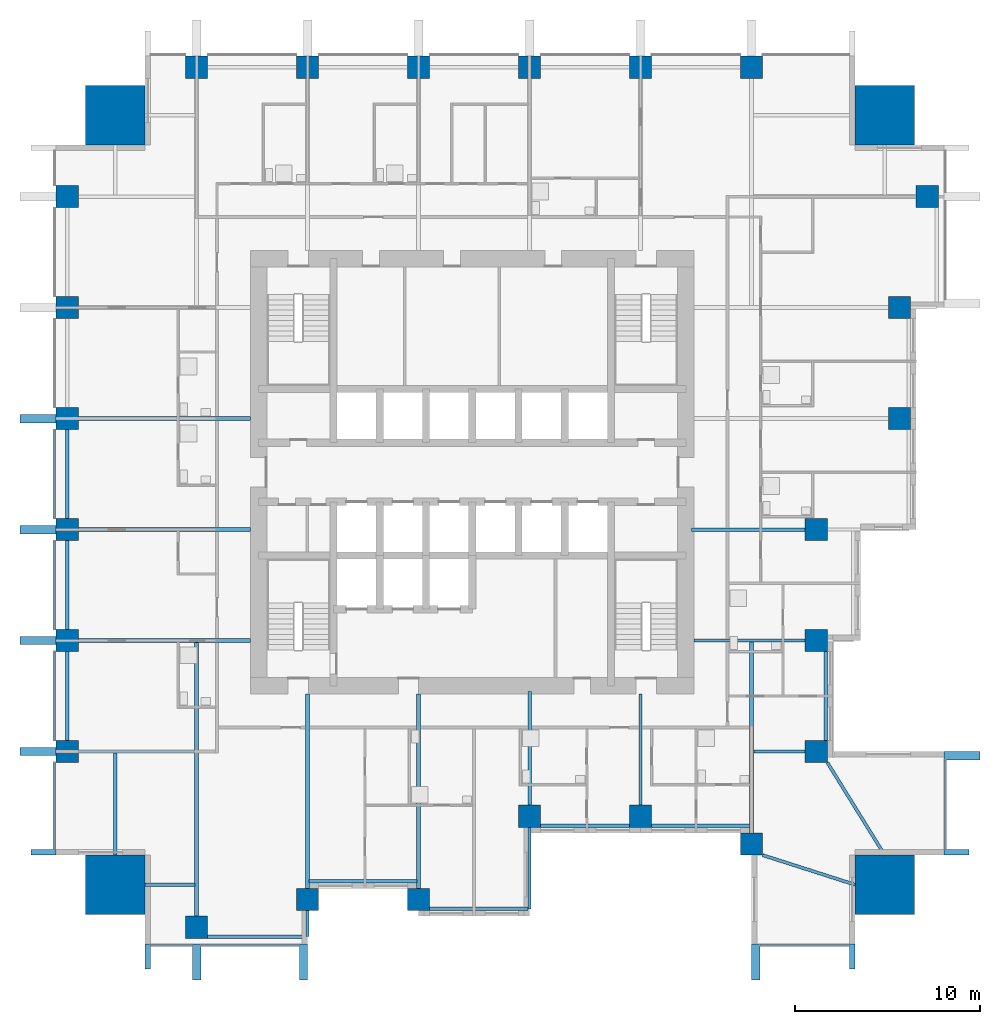
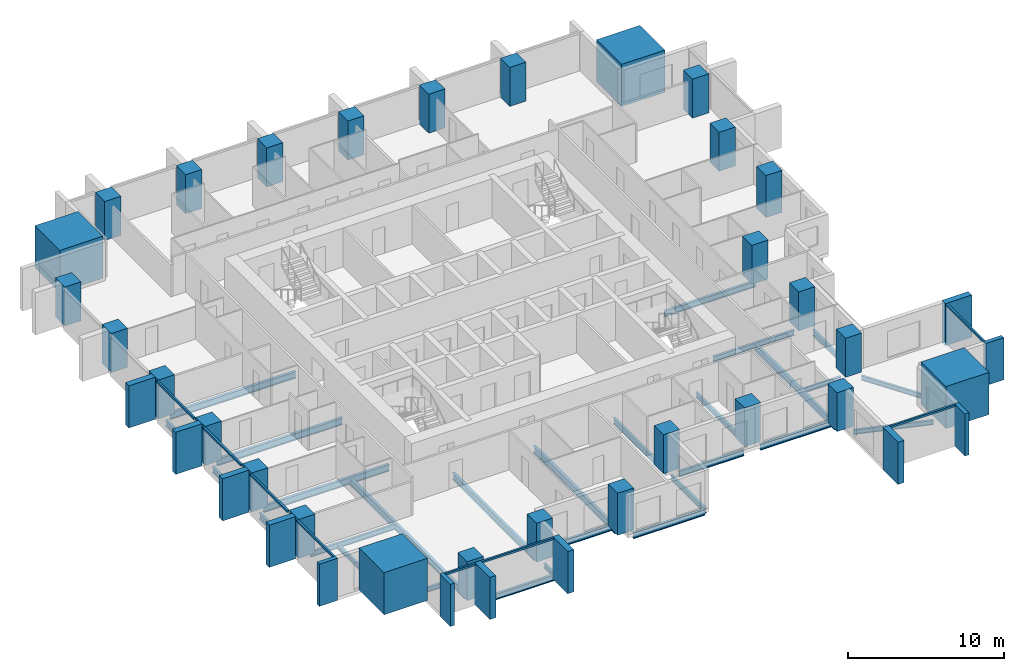
# One storey, part 1 of 10: 28 beams, 28 columns, 20 members, 4 elements without a shape of their own.
"""IFC4 building model written with IfcOpenShell, lengths in metres."""

from ifc_helpers import new_model, si_unit, direction, frame, origin, origin_2d, place, context, subcontext, project, spatial, rectangle, i_section, extrude, material, material_profile, profile_set, type_object, element, aggregate, save


model = new_model("IFC4")

# Units and contexts
model_context = context("Model", 3, precision=1e-05, world=origin(), true_north=direction((0.0, 1.0)))
body_context = subcontext(model_context, "Body", "Model", "MODEL_VIEW")
ifc_project = project(units=[si_unit("LENGTHUNIT", "METRE"), si_unit("AREAUNIT", "SQUARE_METRE"), si_unit("VOLUMEUNIT", "CUBIC_METRE"), si_unit("PLANEANGLEUNIT", "RADIAN"), si_unit("MASSUNIT", "GRAM", prefix="KILO")], contexts=[model_context])

# Site, building, storey
site_placement = place(None, origin())
site = spatial("IfcSite", under=ifc_project, at=site_placement, CompositionType="ELEMENT")
building_placement = place(site_placement, origin())
building = spatial("IfcBuilding", under=site, at=building_placement, Name="Amberfall Residences", CompositionType="ELEMENT")
storey_placement = place(building_placement, frame((0.0, 0.0, 49.89990234375)))
storey = spatial("IfcBuildingStorey", under=building, at=storey_placement, Name="L13", CompositionType="ELEMENT", Elevation=49.89990234375)

# Columns
ifc_material_1 = material(Name="Concrete C80", Category="concrete")
ifc_material_profile_1 = material_profile(ifc_material_1, rectangle(XDim=1.199951171875, YDim=1.199951171875, at=origin_2d()), Name="Column 1200 x 1200 C80")
ifc_profile_set_1 = profile_set([ifc_material_profile_1], Name="Concrete C80")
column_type_1 = type_object("IfcColumnType", Name="Column 1200 x 1200 C80", PredefinedType="COLUMN", material=ifc_profile_set_1)
for number, where, z_axis, x_axis, name in (
    (1, (59.60009765625, 20.89990234375, 0.0), (0.0, 0.0, 1.0), (1.0, 0.0, 0.0), "Column C1 L13 S1"),
    (2, (65.60009765625, 22.39990234375, 0.0), (0.0, 0.0, 1.0), (1.0, 0.0, 0.0), "Column C1 L13 S2"),
):
    element("IfcColumn", number, at=place(storey_placement, frame(where, z_axis=z_axis, x_axis=x_axis)), inside=storey, type_object=column_type_1, Name=name, PredefinedType="COLUMN", context=body_context, shape_type="SweptSolid", body=[
        extrude(rectangle(XDim=1.199951171875, YDim=1.199951171875, at=origin_2d()), origin(), (0.0, 0.0, 1.0), 3.050048828125),
    ])
column_1_placement = place(storey_placement, frame((71.60009765625, 22.39990234375, 0.0), z_axis=(0.0, 0.0, 1.0), x_axis=(1.0, 0.0, 0.0)))
element("IfcColumn", 3, at=column_1_placement, inside=storey, type_object=column_type_1, Name="Column C1 L13 S3", PredefinedType="COLUMN", context=body_context, shape_type="SweptSolid", body=[
    extrude(rectangle(XDim=1.199951171875, YDim=1.199951171875, at=origin_2d()), origin(), (0.0, 0.0, 1.0), 3.300048828125),
])
for number, where, z_axis, x_axis, name in (
    (4, (77.60009765625, 26.89990234375, 0.0), (0.0, 0.0, 1.0), (1.0, 0.0, 0.0), "Column C1 L13 S4"),
    (5, (83.60009765625, 26.89990234375, 0.0), (0.0, 0.0, 1.0), (1.0, 0.0, 0.0), "Column C1 L13 S5"),
    (6, (89.60009765625, 25.39990234375, 0.0), (0.0, 0.0, 1.0), (1.0, 0.0, 0.0), "Column C1 L13 S6"),
    (7, (93.10009765625, 30.39990234375, 0.0), (0.0, 0.0, 1.0), (1.0, 0.0, 0.0), "Column C1 L13 E1"),
    (8, (93.10009765625, 36.39990234375, 0.0), (0.0, 0.0, 1.0), (1.0, 0.0, 0.0), "Column C1 L13 E2"),
    (9, (93.10009765625, 42.39990234375, 0.0), (0.0, 0.0, 1.0), (1.0, 0.0, 0.0), "Column C1 L13 E3"),
):
    element("IfcColumn", number, at=place(storey_placement, frame(where, z_axis=z_axis, x_axis=x_axis)), inside=storey, type_object=column_type_1, Name=name, PredefinedType="COLUMN", context=body_context, shape_type="SweptSolid", body=[
        extrude(rectangle(XDim=1.199951171875, YDim=1.199951171875, at=origin_2d()), origin(), (0.0, 0.0, 1.0), 3.050048828125),
    ])
column_2_placement = place(storey_placement, frame((97.60009765625, 48.39990234375, 0.0), z_axis=(0.0, 0.0, 1.0), x_axis=(1.0, 0.0, 0.0)))
element("IfcColumn", 10, at=column_2_placement, inside=storey, type_object=column_type_1, Name="Column C1 L13 E4", PredefinedType="COLUMN", context=body_context, shape_type="SweptSolid", body=[
    extrude(rectangle(XDim=1.199951171875, YDim=1.199951171875, at=origin_2d()), origin(), (0.0, 0.0, 1.0), 3.300048828125),
])
for number, where, z_axis, x_axis, name in (
    (11, (97.60009765625, 54.39990234375, 0.0), (0.0, 0.0, 1.0), (1.0, 0.0, 0.0), "Column C1 L13 E5"),
    (12, (99.10009765625, 60.39990234375, 0.0), (0.0, 0.0, 1.0), (1.0, 0.0, 0.0), "Column C1 L13 E6"),
    (13, (59.60009765625, 67.39990234375, 0.0), (0.0, 0.0, 1.0), (1.0, 0.0, 0.0), "Column C1 L13 N1"),
    (14, (65.60009765625, 67.39990234375, 0.0), (0.0, 0.0, 1.0), (1.0, 0.0, 0.0), "Column C1 L13 N2"),
    (15, (71.60009765625, 67.39990234375, 0.0), (0.0, 0.0, 1.0), (1.0, 0.0, 0.0), "Column C1 L13 N3"),
    (16, (77.60009765625, 67.39990234375, 0.0), (0.0, 0.0, 1.0), (1.0, 0.0, 0.0), "Column C1 L13 N4"),
    (17, (83.60009765625, 67.39990234375, 0.0), (0.0, 0.0, 1.0), (1.0, 0.0, 0.0), "Column C1 L13 N5"),
    (18, (89.60009765625, 67.39990234375, 0.0), (0.0, 0.0, 1.0), (1.0, 0.0, 0.0), "Column C1 L13 N6"),
    (19, (52.60009765625, 30.39990234375, 0.0), (0.0, 0.0, 1.0), (1.0, 0.0, 0.0), "Column C1 L13 W1"),
    (20, (52.60009765625, 36.39990234375, 0.0), (0.0, 0.0, 1.0), (1.0, 0.0, 0.0), "Column C1 L13 W2"),
    (21, (52.60009765625, 42.39990234375, 0.0), (0.0, 0.0, 1.0), (1.0, 0.0, 0.0), "Column C1 L13 W3"),
    (22, (52.60009765625, 48.39990234375, 0.0), (0.0, 0.0, 1.0), (1.0, 0.0, 0.0), "Column C1 L13 W4"),
    (23, (52.60009765625, 54.39990234375, 0.0), (0.0, 0.0, 1.0), (1.0, 0.0, 0.0), "Column C1 L13 W5"),
    (24, (52.60009765625, 60.39990234375, 0.0), (0.0, 0.0, 1.0), (1.0, 0.0, 0.0), "Column C1 L13 W6"),
):
    element("IfcColumn", number, at=place(storey_placement, frame(where, z_axis=z_axis, x_axis=x_axis)), inside=storey, type_object=column_type_1, Name=name, PredefinedType="COLUMN", context=body_context, shape_type="SweptSolid", body=[
        extrude(rectangle(XDim=1.199951171875, YDim=1.199951171875, at=origin_2d()), origin(), (0.0, 0.0, 1.0), 3.050048828125),
    ])
ifc_material_profile_2 = material_profile(ifc_material_1, rectangle(XDim=3.199951171875, YDim=3.199951171875, at=origin_2d()), Name="Mega column 3200 x 3200 C80")
ifc_profile_set_2 = profile_set([ifc_material_profile_2], Name="Concrete C80")
column_type_2 = type_object("IfcColumnType", Name="Mega column 3200 x 3200 C80", PredefinedType="COLUMN", material=ifc_profile_set_2)
for number, where, z_axis, x_axis, name in (
    (25, (55.199951171875, 23.199951171875, 0.0), (0.0, 0.0, 1.0), (1.0, 0.0, 0.0), "Mega column MC1 L13 SW"),
    (26, (96.800048828125, 23.199951171875, 0.0), (0.0, 0.0, 1.0), (1.0, 0.0, 0.0), "Mega column MC1 L13 SE"),
    (27, (96.800048828125, 64.800048828125, 0.0), (0.0, 0.0, 1.0), (1.0, 0.0, 0.0), "Mega column MC1 L13 NE"),
    (28, (55.199951171875, 64.800048828125, 0.0), (0.0, 0.0, 1.0), (1.0, 0.0, 0.0), "Mega column MC1 L13 NW"),
):
    element("IfcColumn", number, at=place(storey_placement, frame(where, z_axis=z_axis, x_axis=x_axis)), inside=storey, type_object=column_type_2, Name=name, PredefinedType="COLUMN", context=body_context, shape_type="SweptSolid", body=[
        extrude(rectangle(XDim=3.199951171875, YDim=3.199951171875, at=origin_2d()), origin(), (0.0, 0.0, 1.0), 3.300048828125),
    ])

# Curtain wall, members
ifc_material_2 = material(Name="Bronze anodised aluminium and glass", Category="aluminium")
curtain_wall_type = type_object("IfcCurtainWallType", Name="Curtain wall CW1 tower unit", PredefinedType="USERDEFINED", material=ifc_material_2)
curtain_wall_1_placement = place(storey_placement, origin())
curtain_wall_1 = element("IfcCurtainWall", 29, at=curtain_wall_1_placement, inside=storey, type_object=curtain_wall_type, Name="Curtain wall L13 S S1", ObjectType="UNITISED CURTAIN WALL", PredefinedType="USERDEFINED")
ifc_material_3 = material(Name="Bronze anodised aluminium", Category="aluminium")
ifc_material_profile_3 = material_profile(ifc_material_3, rectangle(XDim=0.14990234375, YDim=0.14990234375, at=origin_2d()), Name="CW1 transom 150 x 150 bronze")
ifc_profile_set_3 = profile_set([ifc_material_profile_3], Name="Bronze anodised aluminium")
member_type_1 = type_object("IfcMemberType", Name="CW1 transom 150 x 150 bronze", PredefinedType="USERDEFINED", material=ifc_profile_set_3)
member_1_placement = place(storey_placement, frame((57.10009765625, 19.925048828125, 2.97509765625), z_axis=(1.0, 0.0, 0.0), x_axis=(0.0, 1.0, 0.0)))
member_1 = element("IfcMember", 30, at=member_1_placement, type_object=member_type_1, Name="CW1 transom 1.1", ObjectType="TRANSOM", PredefinedType="USERDEFINED", context=body_context, shape_type="SweptSolid", body=[
    extrude(rectangle(XDim=0.14990234375, YDim=0.14990234375, at=origin_2d()), origin(), (0.0, 0.0, 1.0), 2.27490234375),
])
member_2_placement = place(storey_placement, frame((59.824951171875, 19.925048828125, 2.97509765625), z_axis=(1.0, 0.0, 0.0), x_axis=(0.0, 1.0, 0.0)))
member_2 = element("IfcMember", 31, at=member_2_placement, type_object=member_type_1, Name="CW1 transom 2.1", ObjectType="TRANSOM", PredefinedType="USERDEFINED", context=body_context, shape_type="SweptSolid", body=[
    extrude(rectangle(XDim=0.14990234375, YDim=0.14990234375, at=origin_2d()), origin(), (0.0, 0.0, 1.0), 5.324951171875),
])

# Curtain wall, member
curtain_wall_2_placement = place(storey_placement, origin())
curtain_wall_2 = element("IfcCurtainWall", 32, at=curtain_wall_2_placement, inside=storey, type_object=curtain_wall_type, Name="Curtain wall L13 S S10", ObjectType="UNITISED CURTAIN WALL", PredefinedType="USERDEFINED")
member_3_placement = place(storey_placement, frame((90.050048828125, 19.925048828125, 2.97509765625), z_axis=(1.0, 0.0, 0.0), x_axis=(0.0, 1.0, 0.0)))
member_3 = element("IfcMember", 33, at=member_3_placement, type_object=member_type_1, Name="CW1 transom 1.1", ObjectType="TRANSOM", PredefinedType="USERDEFINED", context=body_context, shape_type="SweptSolid", body=[
    extrude(rectangle(XDim=0.14990234375, YDim=0.14990234375, at=origin_2d()), origin(), (0.0, 0.0, 1.0), 4.849853515625),
])

curtain_wall_3_placement = place(storey_placement, origin())
curtain_wall_3 = element("IfcCurtainWall", 34, at=curtain_wall_3_placement, inside=storey, type_object=curtain_wall_type, Name="Curtain wall L13 E E1", ObjectType="UNITISED CURTAIN WALL", PredefinedType="USERDEFINED")
member_4_placement = place(storey_placement, frame((100.074951171875, 25.10009765625, 2.97509765625), z_axis=(0.0, 1.0, 0.0), x_axis=(-1.0, 0.0, 0.0)))
member_4 = element("IfcMember", 35, at=member_4_placement, type_object=member_type_1, Name="CW1 transom 1.1", ObjectType="TRANSOM", PredefinedType="USERDEFINED", context=body_context, shape_type="SweptSolid", body=[
    extrude(rectangle(XDim=0.14990234375, YDim=0.14990234375, at=origin_2d()), origin(), (0.0, 0.0, 1.0), 4.849853515625),
])

# Curtain wall, members
curtain_wall_4_placement = place(storey_placement, origin())
curtain_wall_4 = element("IfcCurtainWall", 36, at=curtain_wall_4_placement, inside=storey, type_object=curtain_wall_type, Name="Curtain wall L13 W W1", ObjectType="UNITISED CURTAIN WALL", PredefinedType="USERDEFINED")
member_5_placement = place(storey_placement, frame((51.925048828125, 47.794921875, 2.97509765625), z_axis=(0.0, -1.0, 0.0), x_axis=(1.0, 0.0, 0.0)))
member_5 = element("IfcMember", 37, at=member_5_placement, type_object=member_type_1, Name="CW1 transom 4.1", ObjectType="TRANSOM", PredefinedType="USERDEFINED", context=body_context, shape_type="SweptSolid", body=[
    extrude(rectangle(XDim=0.14990234375, YDim=0.14990234375, at=origin_2d()), origin(), (0.0, 0.0, 1.0), 4.7900390625),
])
member_6_placement = place(storey_placement, frame((51.925048828125, 41.794921875, 2.97509765625), z_axis=(0.0, -1.0, 0.0), x_axis=(1.0, 0.0, 0.0)))
member_6 = element("IfcMember", 38, at=member_6_placement, type_object=member_type_1, Name="CW1 transom 5.1", ObjectType="TRANSOM", PredefinedType="USERDEFINED", context=body_context, shape_type="SweptSolid", body=[
    extrude(rectangle(XDim=0.14990234375, YDim=0.14990234375, at=origin_2d()), origin(), (0.0, 0.0, 1.0), 4.7900390625),
])
member_7_placement = place(storey_placement, frame((51.925048828125, 35.794921875, 2.97509765625), z_axis=(0.0, -1.0, 0.0), x_axis=(1.0, 0.0, 0.0)))
member_7 = element("IfcMember", 39, at=member_7_placement, type_object=member_type_1, Name="CW1 transom 6.1", ObjectType="TRANSOM", PredefinedType="USERDEFINED", context=body_context, shape_type="SweptSolid", body=[
    extrude(rectangle(XDim=0.14990234375, YDim=0.14990234375, at=origin_2d()), origin(), (0.0, 0.0, 1.0), 4.7900390625),
])
member_8_placement = place(storey_placement, frame((51.925048828125, 29.794921875, 2.97509765625), z_axis=(0.0, -1.0, 0.0), x_axis=(1.0, 0.0, 0.0)))
member_8 = element("IfcMember", 40, at=member_8_placement, type_object=member_type_1, Name="CW1 transom 7.1", ObjectType="TRANSOM", PredefinedType="USERDEFINED", context=body_context, shape_type="SweptSolid", body=[
    extrude(rectangle(XDim=0.14990234375, YDim=0.14990234375, at=origin_2d()), origin(), (0.0, 0.0, 1.0), 4.69482421875),
])

# Beams
ifc_material_4 = material(Name="Steel S355", Category="steel")
ifc_material_profile_4 = material_profile(ifc_material_4, i_section(OverallWidth=0.171142578125, OverallDepth=0.351318359375, WebThickness=0.007080078125, FlangeThickness=0.009765625, FilletRadius=0.01025390625, at=origin_2d()), Name="UB 356x171x45")
ifc_profile_set_4 = profile_set([ifc_material_profile_4], Name="Steel S355")
beam_type_1 = type_object("IfcBeamType", Name="Cantilever girder UB 356x171x45", PredefinedType="BEAM", material=ifc_profile_set_4)
beam_1_placement = place(storey_placement, frame((65.60009765625, 21.800048828125, -0.425537109375), z_axis=(0.0, -1.0, 0.0), x_axis=(1.0, 0.0, 0.0)))
element("IfcBeam", 41, at=beam_1_placement, inside=storey, type_object=beam_type_1, Name="Cantilever girder B8 L13 06", PredefinedType="BEAM", context=body_context, shape_type="SweptSolid", body=[
    extrude(i_section(OverallWidth=0.171142578125, OverallDepth=0.351318359375, WebThickness=0.007080078125, FlangeThickness=0.009765625, FilletRadius=0.01025390625, at=origin_2d()), origin(), (0.0, 0.0, 1.0), 1.400146484375),
])
ifc_material_profile_5 = material_profile(ifc_material_4, i_section(OverallWidth=0.177734375, OverallDepth=0.402587890625, WebThickness=0.0078125, FlangeThickness=0.010986328125, FilletRadius=0.01025390625, at=origin_2d()), Name="UB 406x178x54")
ifc_profile_set_5 = profile_set([ifc_material_profile_5], Name="Steel S355")
beam_type_2 = type_object("IfcBeamType", Name="Cantilever girder UB 406x178x54", PredefinedType="BEAM", material=ifc_profile_set_5)
beam_2_placement = place(storey_placement, frame((77.60009765625, 26.300048828125, -0.451171875), z_axis=(0.0, -1.0, 0.0), x_axis=(1.0, 0.0, 0.0)))
element("IfcBeam", 42, at=beam_2_placement, inside=storey, type_object=beam_type_2, Name="Cantilever girder B9 L13 07", PredefinedType="BEAM", context=body_context, shape_type="SweptSolid", body=[
    extrude(i_section(OverallWidth=0.177734375, OverallDepth=0.402587890625, WebThickness=0.0078125, FlangeThickness=0.010986328125, FilletRadius=0.01025390625, at=origin_2d()), origin(), (0.0, 0.0, 1.0), 4.400146484375),
])

# Member
ifc_material_profile_6 = material_profile(ifc_material_3, rectangle(XDim=1.35009765625, YDim=0.300048828125, at=origin_2d()), Name="Corner fin 300 x 1350 bronze")
ifc_profile_set_6 = profile_set([ifc_material_profile_6], Name="Bronze anodised aluminium")
member_type_2 = type_object("IfcMemberType", Name="Corner fin 300 x 1350 bronze", PredefinedType="MULLION", material=ifc_profile_set_6)
member_9_placement = place(storey_placement, frame((56.949951171875, 19.324951171875, -0.25), z_axis=(0.0, 0.0, 1.0), x_axis=(0.0, 1.0, 0.0)))
member_9 = element("IfcMember", 43, at=member_9_placement, type_object=member_type_2, Name="CW FIN 1", PredefinedType="MULLION", context=body_context, shape_type="SweptSolid", body=[
    extrude(rectangle(XDim=1.35009765625, YDim=0.300048828125, at=origin_2d()), origin(), (0.0, 0.0, 1.0), 3.300048828125),
])

member_10_placement = place(storey_placement, frame((95.050048828125, 19.324951171875, -0.25), z_axis=(0.0, 0.0, 1.0), x_axis=(0.0, 1.0, 0.0)))
member_10 = element("IfcMember", 44, at=member_10_placement, type_object=member_type_2, Name="CW FIN 2", PredefinedType="MULLION", context=body_context, shape_type="SweptSolid", body=[
    extrude(rectangle(XDim=1.35009765625, YDim=0.300048828125, at=origin_2d()), origin(), (0.0, 0.0, 1.0), 3.300048828125),
])

member_11_placement = place(storey_placement, frame((100.675048828125, 24.949951171875, -0.25), z_axis=(0.0, 0.0, 1.0), x_axis=(-1.0, 0.0, 0.0)))
member_11 = element("IfcMember", 45, at=member_11_placement, type_object=member_type_2, Name="CW FIN 1", PredefinedType="MULLION", context=body_context, shape_type="SweptSolid", body=[
    extrude(rectangle(XDim=1.35009765625, YDim=0.300048828125, at=origin_2d()), origin(), (0.0, 0.0, 1.0), 3.300048828125),
])

member_12_placement = place(storey_placement, frame((51.324951171875, 24.949951171875, -0.25), z_axis=(0.0, 0.0, 1.0), x_axis=(1.0, 0.0, 0.0)))
member_12 = element("IfcMember", 46, at=member_12_placement, type_object=member_type_2, Name="CW FIN 8", PredefinedType="MULLION", context=body_context, shape_type="SweptSolid", body=[
    extrude(rectangle(XDim=1.35009765625, YDim=0.300048828125, at=origin_2d()), origin(), (0.0, 0.0, 1.0), 3.300048828125),
])

# Beams
ifc_material_profile_7 = material_profile(ifc_material_4, i_section(OverallWidth=0.18994140625, OverallDepth=0.453369140625, WebThickness=0.008544921875, FlangeThickness=0.0126953125, FilletRadius=0.01025390625, at=origin_2d()), Name="UB 457x191x67")
ifc_profile_set_7 = profile_set([ifc_material_profile_7], Name="Steel S355")
beam_type_3 = type_object("IfcBeamType", Name="Edge beam UB 457x191x67", PredefinedType="SPANDREL", material=ifc_profile_set_7)
beam_3_placement = place(storey_placement, frame((60.199951171875, 20.39990234375, -0.4765625), z_axis=(1.0, 0.0, 0.0), x_axis=(0.0, 1.0, 0.0)))
element("IfcBeam", 47, at=beam_3_placement, inside=storey, type_object=beam_type_3, Name="Edge beam B1 L13 01", PredefinedType="SPANDREL", context=body_context, shape_type="SweptSolid", body=[
    extrude(i_section(OverallWidth=0.18994140625, OverallDepth=0.453369140625, WebThickness=0.008544921875, FlangeThickness=0.0126953125, FilletRadius=0.01025390625, at=origin_2d()), origin(), (0.0, 0.0, 1.0), 5.320068359375),
])
beam_4_placement = place(storey_placement, frame((65.679931640625, 23.39990234375, -0.4765625), z_axis=(1.0, 0.0, 0.0), x_axis=(0.0, 1.0, 0.0)))
element("IfcBeam", 48, at=beam_4_placement, inside=storey, type_object=beam_type_3, Name="Edge beam B1 L13 02", PredefinedType="SPANDREL", context=body_context, shape_type="SweptSolid", body=[
    extrude(i_section(OverallWidth=0.18994140625, OverallDepth=0.453369140625, WebThickness=0.008544921875, FlangeThickness=0.0126953125, FilletRadius=0.01025390625, at=origin_2d()), origin(), (0.0, 0.0, 1.0), 5.840087890625),
])
beam_5_placement = place(storey_placement, frame((72.199951171875, 21.89990234375, -0.4765625), z_axis=(1.0, 0.0, 0.0), x_axis=(0.0, 1.0, 0.0)))
element("IfcBeam", 49, at=beam_5_placement, inside=storey, type_object=beam_type_3, Name="Edge beam B1 L13 03", PredefinedType="SPANDREL", context=body_context, shape_type="SweptSolid", body=[
    extrude(i_section(OverallWidth=0.18994140625, OverallDepth=0.453369140625, WebThickness=0.008544921875, FlangeThickness=0.0126953125, FilletRadius=0.01025390625, at=origin_2d()), origin(), (0.0, 0.0, 1.0), 5.320068359375),
])
beam_6_placement = place(storey_placement, frame((78.199951171875, 26.39990234375, -0.4765625), z_axis=(1.0, 0.0, 0.0), x_axis=(0.0, 1.0, 0.0)))
element("IfcBeam", 50, at=beam_6_placement, inside=storey, type_object=beam_type_3, Name="Edge beam B1 L13 04", PredefinedType="SPANDREL", context=body_context, shape_type="SweptSolid", body=[
    extrude(i_section(OverallWidth=0.18994140625, OverallDepth=0.453369140625, WebThickness=0.008544921875, FlangeThickness=0.0126953125, FilletRadius=0.01025390625, at=origin_2d()), origin(), (0.0, 0.0, 1.0), 4.800048828125),
])
beam_7_placement = place(storey_placement, frame((84.199951171875, 26.39990234375, -0.4765625), z_axis=(1.0, 0.0, 0.0), x_axis=(0.0, 1.0, 0.0)))
element("IfcBeam", 51, at=beam_7_placement, inside=storey, type_object=beam_type_3, Name="Edge beam B1 L13 05", PredefinedType="SPANDREL", context=body_context, shape_type="SweptSolid", body=[
    extrude(i_section(OverallWidth=0.18994140625, OverallDepth=0.453369140625, WebThickness=0.008544921875, FlangeThickness=0.0126953125, FilletRadius=0.01025390625, at=origin_2d()), origin(), (0.0, 0.0, 1.0), 5.320068359375),
])
for number, where, z_axis, x_axis, name in (
    (52, (93.60009765625, 31.0, -0.4765625), (0.0, 1.0, 0.0), (-1.0, 0.0, 0.0), "Edge beam B1 L13 14"),
    (53, (52.60009765625, 31.0, -0.4765625), (0.0, 1.0, 0.0), (-1.0, 0.0, 0.0), "Edge beam B1 L13 39"),
    (54, (52.60009765625, 37.0, -0.4765625), (0.0, 1.0, 0.0), (-1.0, 0.0, 0.0), "Edge beam B1 L13 40"),
    (55, (52.60009765625, 43.0, -0.4765625), (0.0, 1.0, 0.0), (-1.0, 0.0, 0.0), "Edge beam B1 L13 41"),
):
    element("IfcBeam", number, at=place(storey_placement, frame(where, z_axis=z_axis, x_axis=x_axis)), inside=storey, type_object=beam_type_3, Name=name, PredefinedType="SPANDREL", context=body_context, shape_type="SweptSolid", body=[
        extrude(i_section(OverallWidth=0.18994140625, OverallDepth=0.453369140625, WebThickness=0.008544921875, FlangeThickness=0.0126953125, FilletRadius=0.01025390625, at=origin_2d()), origin(), (0.0, 0.0, 1.0), 4.800048828125),
    ])

# Member
ifc_material_profile_8 = material_profile(ifc_material_3, rectangle(XDim=1.949951171875, YDim=0.449951171875, at=origin_2d()), Name="Fin 450 x 1950 bronze")
ifc_profile_set_8 = profile_set([ifc_material_profile_8], Name="Bronze anodised aluminium")
member_type_3 = type_object("IfcMemberType", Name="Fin 450 x 1950 bronze", PredefinedType="MULLION", material=ifc_profile_set_8)
member_13_placement = place(storey_placement, frame((59.60009765625, 19.02490234375, -0.25), z_axis=(0.0, 0.0, 1.0), x_axis=(0.0, 1.0, 0.0)))
member_13 = element("IfcMember", 56, at=member_13_placement, type_object=member_type_3, Name="CW FIN 2", PredefinedType="MULLION", context=body_context, shape_type="SweptSolid", body=[
    extrude(rectangle(XDim=1.949951171875, YDim=0.449951171875, at=origin_2d()), origin(), (0.0, 0.0, 1.0), 3.300048828125),
])

member_14_placement = place(storey_placement, frame((65.375, 19.02490234375, -0.25), z_axis=(0.0, 0.0, 1.0), x_axis=(0.0, 1.0, 0.0)))
member_14 = element("IfcMember", 57, at=member_14_placement, type_object=member_type_3, Name="CW FIN 3", PredefinedType="MULLION", context=body_context, shape_type="SweptSolid", body=[
    extrude(rectangle(XDim=1.949951171875, YDim=0.449951171875, at=origin_2d()), origin(), (0.0, 0.0, 1.0), 3.300048828125),
])

aggregate(curtain_wall_1, [member_9, member_13, member_14, member_1, member_2])

member_15_placement = place(storey_placement, frame((89.824951171875, 19.02490234375, -0.25), z_axis=(0.0, 0.0, 1.0), x_axis=(0.0, 1.0, 0.0)))
member_15 = element("IfcMember", 58, at=member_15_placement, type_object=member_type_3, Name="CW FIN 1", PredefinedType="MULLION", context=body_context, shape_type="SweptSolid", body=[
    extrude(rectangle(XDim=1.949951171875, YDim=0.449951171875, at=origin_2d()), origin(), (0.0, 0.0, 1.0), 3.300048828125),
])

aggregate(curtain_wall_2, [member_15, member_10, member_3])

member_16_placement = place(storey_placement, frame((100.97509765625, 30.175048828125, -0.25), z_axis=(0.0, 0.0, 1.0), x_axis=(-1.0, 0.0, 0.0)))
member_16 = element("IfcMember", 59, at=member_16_placement, type_object=member_type_3, Name="CW FIN 2", PredefinedType="MULLION", context=body_context, shape_type="SweptSolid", body=[
    extrude(rectangle(XDim=1.949951171875, YDim=0.449951171875, at=origin_2d()), origin(), (0.0, 0.0, 1.0), 3.300048828125),
])

aggregate(curtain_wall_3, [member_11, member_16, member_4])

member_17_placement = place(storey_placement, frame((51.02490234375, 48.39990234375, -0.25), z_axis=(0.0, 0.0, 1.0), x_axis=(1.0, 0.0, 0.0)))
member_17 = element("IfcMember", 60, at=member_17_placement, type_object=member_type_3, Name="CW FIN 4", PredefinedType="MULLION", context=body_context, shape_type="SweptSolid", body=[
    extrude(rectangle(XDim=1.949951171875, YDim=0.449951171875, at=origin_2d()), origin(), (0.0, 0.0, 1.0), 3.300048828125),
])

member_18_placement = place(storey_placement, frame((51.02490234375, 42.39990234375, -0.25), z_axis=(0.0, 0.0, 1.0), x_axis=(1.0, 0.0, 0.0)))
member_18 = element("IfcMember", 61, at=member_18_placement, type_object=member_type_3, Name="CW FIN 5", PredefinedType="MULLION", context=body_context, shape_type="SweptSolid", body=[
    extrude(rectangle(XDim=1.949951171875, YDim=0.449951171875, at=origin_2d()), origin(), (0.0, 0.0, 1.0), 3.300048828125),
])

member_19_placement = place(storey_placement, frame((51.02490234375, 36.39990234375, -0.25), z_axis=(0.0, 0.0, 1.0), x_axis=(1.0, 0.0, 0.0)))
member_19 = element("IfcMember", 62, at=member_19_placement, type_object=member_type_3, Name="CW FIN 6", PredefinedType="MULLION", context=body_context, shape_type="SweptSolid", body=[
    extrude(rectangle(XDim=1.949951171875, YDim=0.449951171875, at=origin_2d()), origin(), (0.0, 0.0, 1.0), 3.300048828125),
])

member_20_placement = place(storey_placement, frame((51.02490234375, 30.39990234375, -0.25), z_axis=(0.0, 0.0, 1.0), x_axis=(1.0, 0.0, 0.0)))
member_20 = element("IfcMember", 63, at=member_20_placement, type_object=member_type_3, Name="CW FIN 7", PredefinedType="MULLION", context=body_context, shape_type="SweptSolid", body=[
    extrude(rectangle(XDim=1.949951171875, YDim=0.449951171875, at=origin_2d()), origin(), (0.0, 0.0, 1.0), 3.300048828125),
])

aggregate(curtain_wall_4, [member_17, member_18, member_19, member_20, member_12, member_5, member_6, member_7, member_8])

# Beams
ifc_material_profile_9 = material_profile(ifc_material_4, i_section(OverallWidth=0.171142578125, OverallDepth=0.351318359375, WebThickness=0.007080078125, FlangeThickness=0.009765625, FilletRadius=0.01025390625, at=origin_2d()), Name="UB 356x171x45")
ifc_profile_set_9 = profile_set([ifc_material_profile_9], Name="Steel S355")
beam_type_4 = type_object("IfcBeamType", Name="Floor girder UB 356x171x45", PredefinedType="BEAM", material=ifc_profile_set_9)
beam_8_placement = place(storey_placement, frame((92.5, 30.39990234375, -0.425537109375), z_axis=(-1.0, 0.0, 0.0), x_axis=(0.0, -1.0, 0.0)))
element("IfcBeam", 64, at=beam_8_placement, inside=storey, type_object=beam_type_4, Name="Floor girder B11 L13 22", PredefinedType="BEAM", context=body_context, shape_type="SweptSolid", body=[
    extrude(i_section(OverallWidth=0.171142578125, OverallDepth=0.351318359375, WebThickness=0.007080078125, FlangeThickness=0.009765625, FilletRadius=0.01025390625, at=origin_2d()), origin(), (0.0, 0.0, 1.0), 2.780029296875),
])
ifc_material_profile_10 = material_profile(ifc_material_4, i_section(OverallWidth=0.177734375, OverallDepth=0.402587890625, WebThickness=0.0078125, FlangeThickness=0.010986328125, FilletRadius=0.01025390625, at=origin_2d()), Name="UB 406x178x54")
ifc_profile_set_10 = profile_set([ifc_material_profile_10], Name="Steel S355")
beam_type_5 = type_object("IfcBeamType", Name="Floor girder UB 406x178x54", PredefinedType="BEAM", material=ifc_profile_set_10)
for number, where, z_axis, x_axis, name in (
    (65, (83.60009765625, 27.5, -0.451171875), (0.0, 1.0, 0.0), (-1.0, 0.0, 0.0), "Floor girder B4 L13 12"),
    (66, (92.5, 36.39990234375, -0.451171875), (-1.0, 0.0, 0.0), (0.0, -1.0, 0.0), "Floor girder B4 L13 23"),
):
    element("IfcBeam", number, at=place(storey_placement, frame(where, z_axis=z_axis, x_axis=x_axis)), inside=storey, type_object=beam_type_5, Name=name, PredefinedType="BEAM", context=body_context, shape_type="SweptSolid", body=[
        extrude(i_section(OverallWidth=0.177734375, OverallDepth=0.402587890625, WebThickness=0.0078125, FlangeThickness=0.010986328125, FilletRadius=0.01025390625, at=origin_2d()), origin(), (0.0, 0.0, 1.0), 6.0),
    ])
beam_9_placement = place(storey_placement, frame((53.199951171875, 30.39990234375, -0.451171875), z_axis=(1.0, 0.0, 0.0), x_axis=(0.0, 1.0, 0.0)))
element("IfcBeam", 67, at=beam_9_placement, inside=storey, type_object=beam_type_5, Name="Floor girder B4 L13 44", PredefinedType="BEAM", context=body_context, shape_type="SweptSolid", body=[
    extrude(i_section(OverallWidth=0.177734375, OverallDepth=0.402587890625, WebThickness=0.0078125, FlangeThickness=0.010986328125, FilletRadius=0.01025390625, at=origin_2d()), origin(), (0.0, 0.0, 1.0), 6.280029296875),
])
ifc_material_profile_11 = material_profile(ifc_material_4, i_section(OverallWidth=0.19140625, OverallDepth=0.4599609375, WebThickness=0.010009765625, FlangeThickness=0.01611328125, FilletRadius=0.01025390625, at=origin_2d()), Name="UB 457x191x82")
ifc_profile_set_11 = profile_set([ifc_material_profile_11], Name="Steel S355")
beam_type_6 = type_object("IfcBeamType", Name="Floor girder UB 457x191x82", PredefinedType="BEAM", material=ifc_profile_set_11)
for number, where, z_axis, x_axis, name in (
    (68, (77.60009765625, 26.89990234375, -0.47998046875), (0.0, 1.0, 0.0), (-1.0, 0.0, 0.0), "Floor girder B10 L13 11"),
    (69, (93.10009765625, 42.39990234375, -0.47998046875), (-1.0, 0.0, 0.0), (0.0, -1.0, 0.0), "Floor girder B10 L13 24"),
):
    element("IfcBeam", number, at=place(storey_placement, frame(where, z_axis=z_axis, x_axis=x_axis)), inside=storey, type_object=beam_type_6, Name=name, PredefinedType="BEAM", context=body_context, shape_type="SweptSolid", body=[
        extrude(i_section(OverallWidth=0.19140625, OverallDepth=0.4599609375, WebThickness=0.010009765625, FlangeThickness=0.01611328125, FilletRadius=0.01025390625, at=origin_2d()), origin(), (0.0, 0.0, 1.0), 6.75),
    ])
ifc_material_profile_12 = material_profile(ifc_material_4, i_section(OverallWidth=0.210693359375, OverallDepth=0.53955078125, WebThickness=0.01171875, FlangeThickness=0.018798828125, FilletRadius=0.0126953125, at=origin_2d()), Name="UB 533x210x109")
ifc_profile_set_12 = profile_set([ifc_material_profile_12], Name="Steel S355")
beam_type_7 = type_object("IfcBeamType", Name="Floor girder UB 533x210x109", PredefinedType="BEAM", material=ifc_profile_set_12)
beam_10_placement = place(storey_placement, frame((59.60009765625, 21.5, -0.51953125), z_axis=(0.0, 1.0, 0.0), x_axis=(-1.0, 0.0, 0.0)))
element("IfcBeam", 70, at=beam_10_placement, inside=storey, type_object=beam_type_7, Name="Floor girder B2 L13 08", PredefinedType="BEAM", context=body_context, shape_type="SweptSolid", body=[
    extrude(i_section(OverallWidth=0.210693359375, OverallDepth=0.53955078125, WebThickness=0.01171875, FlangeThickness=0.018798828125, FilletRadius=0.0126953125, at=origin_2d()), origin(), (0.0, 0.0, 1.0), 14.80029296875),
])
ifc_material_profile_13 = material_profile(ifc_material_4, i_section(OverallWidth=0.209228515625, OverallDepth=0.533203125, WebThickness=0.010009765625, FlangeThickness=0.015625, FilletRadius=0.0126953125, at=origin_2d()), Name="UB 533x210x92")
ifc_profile_set_13 = profile_set([ifc_material_profile_13], Name="Steel S355")
beam_type_8 = type_object("IfcBeamType", Name="Floor girder UB 533x210x92", PredefinedType="BEAM", material=ifc_profile_set_13)
for number, where, z_axis, x_axis, name in (
    (71, (65.60009765625, 23.0, -0.516357421875), (0.0, 1.0, 0.0), (-1.0, 0.0, 0.0), "Floor girder B3 L13 09"),
    (72, (71.60009765625, 23.0, -0.516357421875), (0.0, 1.0, 0.0), (-1.0, 0.0, 0.0), "Floor girder B3 L13 10"),
):
    element("IfcBeam", number, at=place(storey_placement, frame(where, z_axis=z_axis, x_axis=x_axis)), inside=storey, type_object=beam_type_8, Name=name, PredefinedType="BEAM", context=body_context, shape_type="SweptSolid", body=[
        extrude(i_section(OverallWidth=0.209228515625, OverallDepth=0.533203125, WebThickness=0.010009765625, FlangeThickness=0.015625, FilletRadius=0.0126953125, at=origin_2d()), origin(), (0.0, 0.0, 1.0), 10.5),
    ])
beam_11_placement = place(storey_placement, frame((89.60009765625, 26.0, -0.516357421875), z_axis=(0.0, 1.0, 0.0), x_axis=(-1.0, 0.0, 0.0)))
element("IfcBeam", 73, at=beam_11_placement, inside=storey, type_object=beam_type_8, Name="Floor girder B3 L13 13", PredefinedType="BEAM", context=body_context, shape_type="SweptSolid", body=[
    extrude(i_section(OverallWidth=0.209228515625, OverallDepth=0.533203125, WebThickness=0.010009765625, FlangeThickness=0.015625, FilletRadius=0.0126953125, at=origin_2d()), origin(), (0.0, 0.0, 1.0), 10.316162109375),
])
for number, where, z_axis, x_axis, name in (
    (74, (53.199951171875, 36.39990234375, -0.516357421875), (1.0, 0.0, 0.0), (0.0, 1.0, 0.0), "Floor girder B3 L13 45"),
    (75, (53.199951171875, 42.39990234375, -0.516357421875), (1.0, 0.0, 0.0), (0.0, 1.0, 0.0), "Floor girder B3 L13 46"),
    (76, (53.199951171875, 48.39990234375, -0.516357421875), (1.0, 0.0, 0.0), (0.0, 1.0, 0.0), "Floor girder B3 L13 47"),
):
    element("IfcBeam", number, at=place(storey_placement, frame(where, z_axis=z_axis, x_axis=x_axis)), inside=storey, type_object=beam_type_8, Name=name, PredefinedType="BEAM", context=body_context, shape_type="SweptSolid", body=[
        extrude(i_section(OverallWidth=0.209228515625, OverallDepth=0.533203125, WebThickness=0.010009765625, FlangeThickness=0.015625, FilletRadius=0.0126953125, at=origin_2d()), origin(), (0.0, 0.0, 1.0), 9.300048828125),
    ])
ifc_material_profile_14 = material_profile(ifc_material_4, i_section(OverallWidth=0.171142578125, OverallDepth=0.351318359375, WebThickness=0.007080078125, FlangeThickness=0.009765625, FilletRadius=0.01025390625, at=origin_2d()), Name="UB 356x171x45")
ifc_profile_set_14 = profile_set([ifc_material_profile_14], Name="Steel S355")
beam_type_9 = type_object("IfcBeamType", Name="Link beam UB 356x171x45", PredefinedType="BEAM", material=ifc_profile_set_14)
beam_12_placement = place(storey_placement, frame((56.800048828125, 23.199951171875, -0.425537109375), z_axis=(1.0, 0.0, 0.0), x_axis=(0.0, 1.0, 0.0)))
element("IfcBeam", 77, at=beam_12_placement, inside=storey, type_object=beam_type_9, Name="Link beam B7 L13 50", PredefinedType="BEAM", context=body_context, shape_type="SweptSolid", body=[
    extrude(i_section(OverallWidth=0.171142578125, OverallDepth=0.351318359375, WebThickness=0.007080078125, FlangeThickness=0.009765625, FilletRadius=0.01025390625, at=origin_2d()), origin(), (0.0, 0.0, 1.0), 2.70458984375),
])
beam_13_placement = place(storey_placement, frame((55.199951171875, 24.800048828125, -0.425537109375), z_axis=(0.0, 1.0, 0.0), x_axis=(-1.0, 0.0, 0.0)))
element("IfcBeam", 78, at=beam_13_placement, inside=storey, type_object=beam_type_9, Name="Link beam B7 L13 51", PredefinedType="BEAM", context=body_context, shape_type="SweptSolid", body=[
    extrude(i_section(OverallWidth=0.171142578125, OverallDepth=0.351318359375, WebThickness=0.007080078125, FlangeThickness=0.009765625, FilletRadius=0.01025390625, at=origin_2d()), origin(), (0.0, 0.0, 1.0), 5.521240234375),
])
beam_14_placement = place(storey_placement, frame((95.199951171875, 23.199951171875, -0.425537109375), z_axis=(-0.952418747361, 0.304792601084, 0.0), x_axis=(-0.304792601084, -0.952418747361, 0.0)))
element("IfcBeam", 79, at=beam_14_placement, inside=storey, type_object=beam_type_9, Name="Link beam B7 L13 52", PredefinedType="BEAM", context=body_context, shape_type="SweptSolid", body=[
    extrude(i_section(OverallWidth=0.171142578125, OverallDepth=0.351318359375, WebThickness=0.007080078125, FlangeThickness=0.009765625, FilletRadius=0.01025390625, at=origin_2d()), origin(), (0.0, 0.0, 1.0), 5.249755859375),
])
beam_15_placement = place(storey_placement, frame((96.800048828125, 24.800048828125, -0.425537109375), z_axis=(-0.526951659214, 0.849895257577, 0.0), x_axis=(-0.849895257577, -0.526951659214, 0.0)))
element("IfcBeam", 80, at=beam_15_placement, inside=storey, type_object=beam_type_9, Name="Link beam B7 L13 53", PredefinedType="BEAM", context=body_context, shape_type="SweptSolid", body=[
    extrude(i_section(OverallWidth=0.171142578125, OverallDepth=0.351318359375, WebThickness=0.007080078125, FlangeThickness=0.009765625, FilletRadius=0.01025390625, at=origin_2d()), origin(), (0.0, 0.0, 1.0), 5.883056640625),
])

save(model, "model.ifc")
